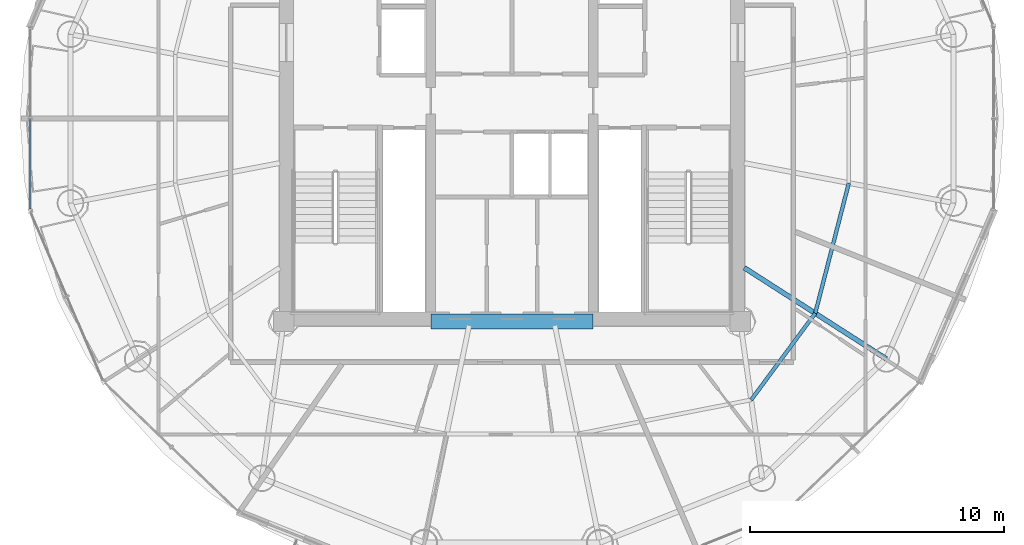
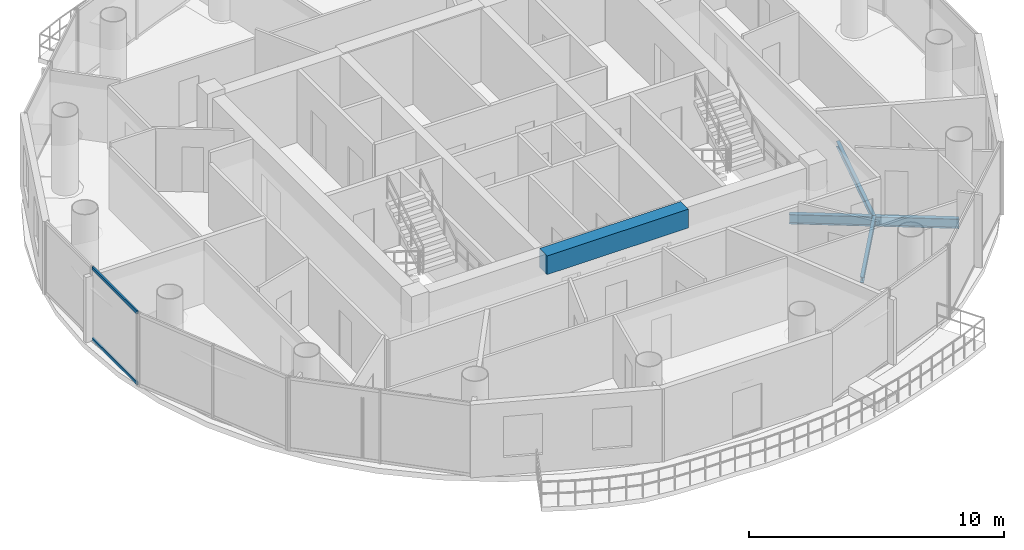
# One storey, part 7 of 24: 4 beams, 2 members, 1 element without a shape of its own.
"""IFC4 building model written with IfcOpenShell, lengths in metres."""

from ifc_helpers import new_model, si_unit, direction, frame, origin, origin_2d, place, context, subcontext, project, spatial, rectangle, hollow_rectangle, i_section, extrude, source, transform, mapped, material, material_profile, profile_set, type_object, element, aggregate, save


model = new_model("IFC4")

# Units and contexts
model_context = context("Model", 3, precision=1e-05, world=origin(), true_north=direction((-0.2419218956, 0.970295726276)))
body_context = subcontext(model_context, "Body", "Model", "MODEL_VIEW")
ifc_project = project(units=[si_unit("LENGTHUNIT", "METRE"), si_unit("AREAUNIT", "SQUARE_METRE"), si_unit("VOLUMEUNIT", "CUBIC_METRE"), si_unit("PLANEANGLEUNIT", "RADIAN"), si_unit("MASSUNIT", "GRAM", prefix="KILO")], contexts=[model_context])

# Site, building, storey
site_placement = place(None, origin())
site = spatial("IfcSite", under=ifc_project, at=site_placement, CompositionType="ELEMENT")
building_placement = place(site_placement, origin())
building = spatial("IfcBuilding", under=site, at=building_placement, Name="Cobrevalo Terracotta Tower", CompositionType="ELEMENT")
storey_placement = place(building_placement, frame((0.0, 0.0, 270.699951171875)))
storey = spatial("IfcBuildingStorey", under=building, at=storey_placement, Name="L71", CompositionType="ELEMENT", Elevation=270.699951171875)

# Beams
ifc_material_1 = material(Name="Concrete C60", Category="concrete")
ifc_material_profile_1 = material_profile(ifc_material_1, rectangle(XDim=0.60009765625, YDim=0.89990234375, at=origin_2d()), Name="RC CB 600x900")
ifc_profile_set_1 = profile_set([ifc_material_profile_1], Name="Concrete C60")
beam_type_1 = type_object("IfcBeamType", Name="Structural Beam RC CB 600x900 (Concrete C60)", PredefinedType="BEAM", material=ifc_profile_set_1)
beam_1_placement = place(storey_placement, frame((34.800048828125, 18.800048828125, 3.0400390625), z_axis=(1.0, 0.0, 0.0), x_axis=(0.0, 1.0, 0.0)))
element("IfcBeam", 1, at=beam_1_placement, inside=storey, type_object=beam_type_1, Name="L71 core coupling beam 1", PredefinedType="BEAM", context=body_context, shape_type="SweptSolid", body=[
    extrude(rectangle(XDim=0.60009765625, YDim=0.89990234375, at=origin_2d()), origin(), (0.0, 0.0, 1.0), 6.39990234375),
])
ifc_material_2 = material(Name="Steel S355", Category="steel")
ifc_material_profile_2 = material_profile(ifc_material_2, i_section(OverallWidth=0.19091796875, OverallDepth=0.4599609375, WebThickness=0.010009765625, FlangeThickness=0.01611328125, at=origin_2d()), Name="W 460x82")
ifc_profile_set_2 = profile_set([ifc_material_profile_2], Name="Steel S355")
beam_type_2 = type_object("IfcBeamType", Name="Structural Beam W 460x82 (Steel S355)", PredefinedType="BEAM", material=ifc_profile_set_2)
beam_2_placement = place(storey_placement, frame((52.758544921875, 17.32763671875, -0.489990234375), z_axis=(-0.84157615512, 0.540138477739, 0.0), x_axis=(-0.540138477739, -0.84157615512, 0.0)))
element("IfcBeam", 2, at=beam_2_placement, inside=storey, type_object=beam_type_2, Name="L71 radial floor girder 15", PredefinedType="BEAM", context=body_context, shape_type="SweptSolid", body=[
    extrude(i_section(OverallWidth=0.19091796875, OverallDepth=0.4599609375, WebThickness=0.010009765625, FlangeThickness=0.01611328125, at=origin_2d()), origin(), (0.0, 0.0, 1.0), 6.658447265625),
])
ifc_material_profile_3 = material_profile(ifc_material_2, i_section(OverallWidth=0.14794921875, OverallDepth=0.26611328125, WebThickness=0.007568359375, FlangeThickness=0.012939453125, at=origin_2d()), Name="W 250x44.8")
ifc_profile_set_3 = profile_set([ifc_material_profile_3], Name="Steel S355")
beam_type_3 = type_object("IfcBeamType", Name="Structural Joist W 250x44.8 (Steel S355)", PredefinedType="JOIST", material=ifc_profile_set_3)
beam_3_placement = place(storey_placement, frame((47.4306640625, 15.711669921875, -0.39306640625), z_axis=(0.594799916617, 0.803873783123, 0.0), x_axis=(-0.803873783123, 0.594799916617, 0.0)))
element("IfcBeam", 3, at=beam_3_placement, inside=storey, type_object=beam_type_3, Name="L71 circumferential secondary floor joist 14", PredefinedType="JOIST", context=body_context, shape_type="SweptSolid", body=[
    extrude(i_section(OverallWidth=0.14794921875, OverallDepth=0.26611328125, WebThickness=0.007568359375, FlangeThickness=0.012939453125, at=origin_2d()), origin(), (0.0, 0.0, 1.0), 4.2470703125),
])
beam_4_placement = place(storey_placement, frame((49.956787109375, 19.125732421875, -0.39306640625), z_axis=(0.249816773293, 0.968293126993, 0.0), x_axis=(-0.968293126993, 0.249816773293, 0.0)))
element("IfcBeam", 4, at=beam_4_placement, inside=storey, type_object=beam_type_3, Name="L71 circumferential secondary floor joist 15", PredefinedType="JOIST", context=body_context, shape_type="SweptSolid", body=[
    extrude(i_section(OverallWidth=0.14794921875, OverallDepth=0.26611328125, WebThickness=0.007568359375, FlangeThickness=0.012939453125, at=origin_2d()), origin(), (0.0, 0.0, 1.0), 5.3046875),
])

# Curtain wall, members
ifc_material_3 = material(Name="Anodized aluminium", Category="aluminium")
curtain_wall_type = type_object("IfcCurtainWallType", Name="Upper-tower triple-glazed penthouse curtain wall CW-U3", PredefinedType="NOTDEFINED", material=ifc_material_3)
curtain_wall_placement = place(storey_placement, origin())
curtain_wall = element("IfcCurtainWall", 5, at=curtain_wall_placement, inside=storey, type_object=curtain_wall_type, Name="L71 curtain wall CW-L71-S08", PredefinedType="NOTDEFINED")
ifc_material_profile_4 = material_profile(ifc_material_3, hollow_rectangle(XDim=0.074951171875, YDim=0.14990234375, WallThickness=0.00439453125, at=origin_2d()), Name="CWT 75x150")
ifc_profile_set_4 = profile_set([ifc_material_profile_4], Name="Anodized aluminium")
member_type = type_object("IfcMemberType", Name="Tower unitised aluminium transom 75x150", PredefinedType="USERDEFINED", material=ifc_profile_set_4)
shared_shape = source(origin(), body_context, "Body", "SweptSolid", [
    extrude(hollow_rectangle(XDim=0.074951171875, YDim=0.14990234375, WallThickness=0.00439453125, at=origin_2d()), origin(), (0.0, 0.0, 1.0), 3.5224609375),
])
member_1_placement = place(storey_placement, frame((19.002197265625, 26.760009765625, 0.050048828125), z_axis=(0.0, -1.0, 0.0), x_axis=(1.0, 0.0, 0.0)))
member_1 = element("IfcMember", 6, at=member_1_placement, type_object=member_type, Name="CW-L71-S08 transom B02-T1", ObjectType="TRANSOM", PredefinedType="USERDEFINED", context=body_context, shape_type="MappedRepresentation", body=[
    mapped(shared_shape, transform((0.0, 0.0, 0.0), scale=1.0)),
])
member_2_placement = place(storey_placement, frame((19.002197265625, 26.760009765625, 3.43994140625), z_axis=(0.0, -1.0, 0.0), x_axis=(1.0, 0.0, 0.0)))
member_2 = element("IfcMember", 7, at=member_2_placement, type_object=member_type, Name="CW-L71-S08 transom B02-T2", ObjectType="TRANSOM", PredefinedType="USERDEFINED", context=body_context, shape_type="MappedRepresentation", body=[
    mapped(shared_shape, transform((0.0, 0.0, 0.0), scale=1.0)),
])
aggregate(curtain_wall, [member_1, member_2])

save(model, "model.ifc")
